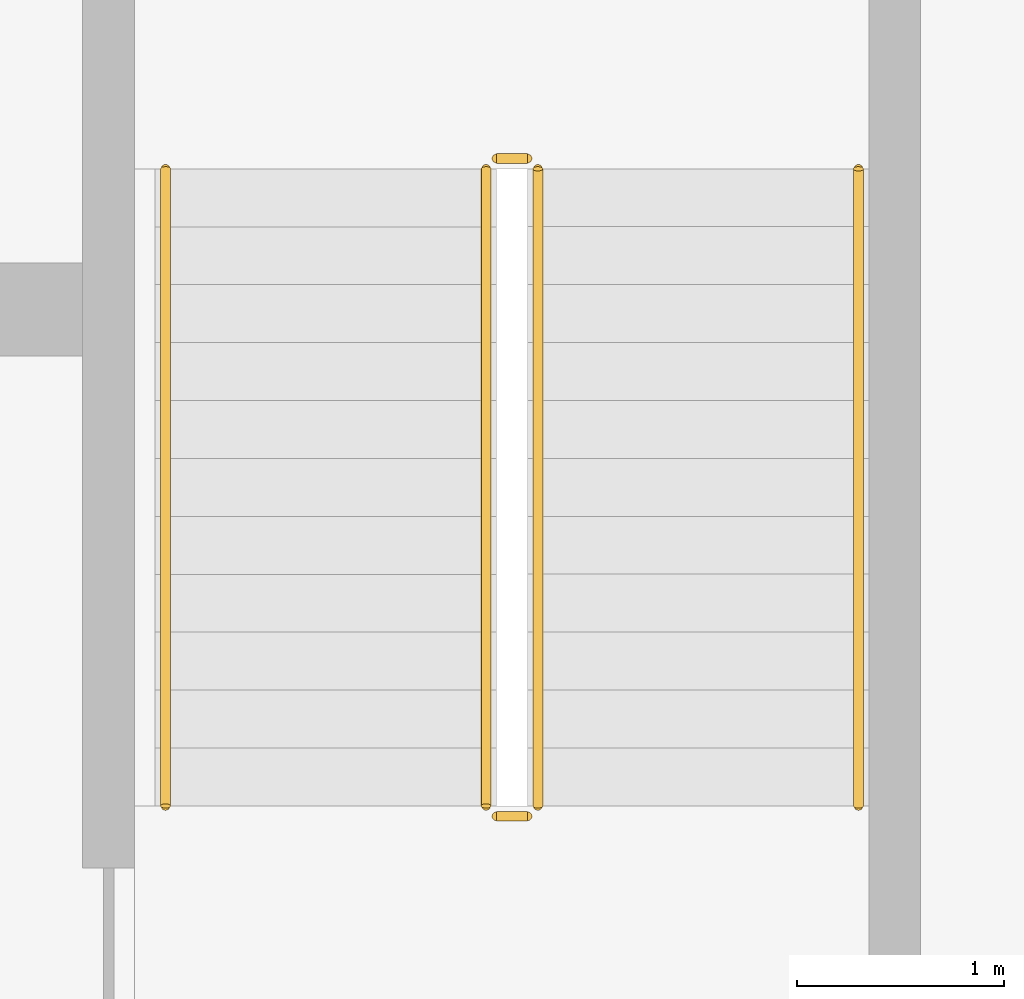
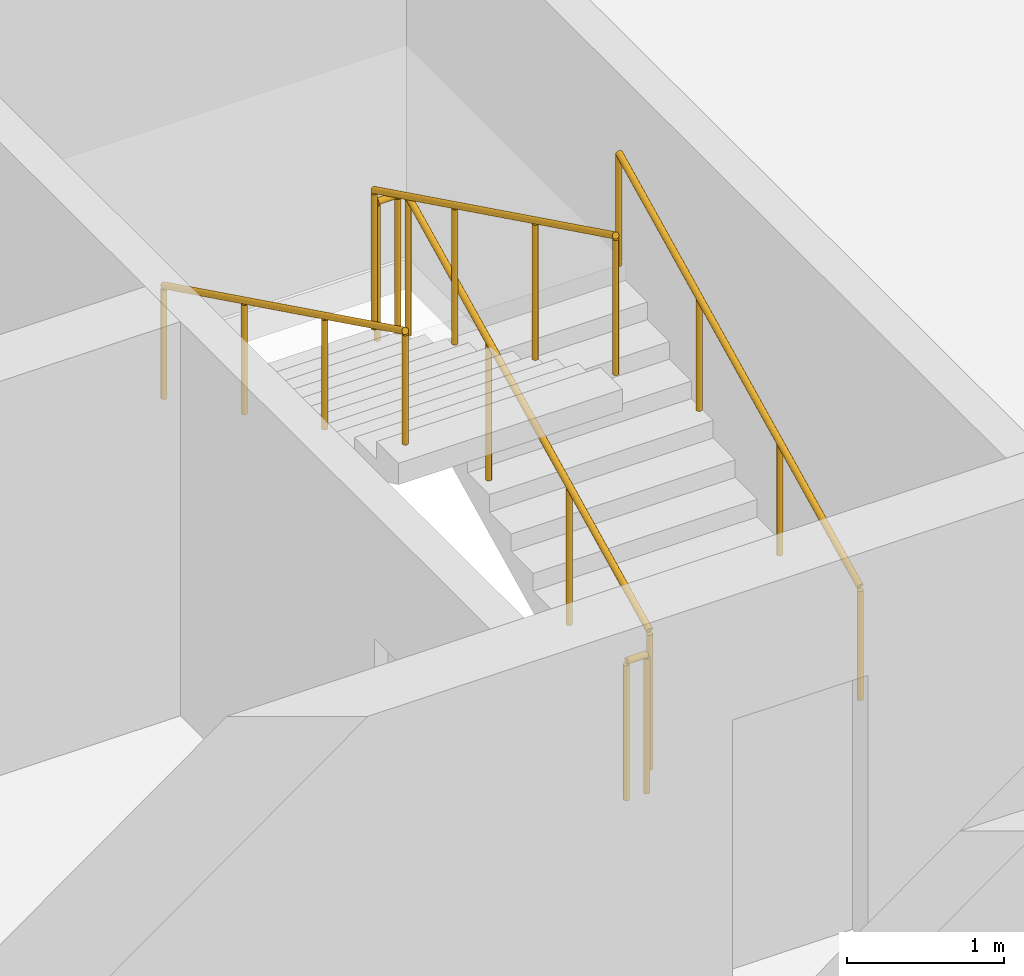
# One storey, part 17 of 33: 6 railings.
"""IFC4 building model written with IfcOpenShell, lengths in metres."""

from ifc_helpers import new_model, si_unit, direction, frame, origin, origin_2d, place, context, subcontext, project, spatial, circle, extrude, material, type_object, element, save


model = new_model("IFC4")

# Units and contexts
model_context = context("Model", 3, precision=1e-05, world=origin(), true_north=direction((0.0, 1.0)))
body_context = subcontext(model_context, "Body", "Model", "MODEL_VIEW")
ifc_project = project(units=[si_unit("LENGTHUNIT", "METRE"), si_unit("AREAUNIT", "SQUARE_METRE"), si_unit("VOLUMEUNIT", "CUBIC_METRE"), si_unit("PLANEANGLEUNIT", "RADIAN"), si_unit("MASSUNIT", "GRAM", prefix="KILO")], contexts=[model_context])

# Site, building, storey
site_placement = place(None, origin())
site = spatial("IfcSite", under=ifc_project, at=site_placement, CompositionType="ELEMENT")
building_placement = place(site_placement, origin())
building = spatial("IfcBuilding", under=site, at=building_placement, Name="Poui Terraces", CompositionType="ELEMENT")
storey_placement = place(building_placement, frame((0.0, 0.0, 135.60009765625)))
storey = spatial("IfcBuildingStorey", under=building, at=storey_placement, Name="L37", CompositionType="ELEMENT", Elevation=135.60009765625)

# Railings
ifc_material_1 = material(Name="Galvanised steel balustrade", Category="steel")
railing_type_1 = type_object("IfcRailingType", Name="STAIR GUARD 1100", PredefinedType="GUARDRAIL", material=ifc_material_1)
railing_1_placement = place(storey_placement, frame((70.27490234375, 16.60009765625, 0.137451171875)))
element("IfcRailing", 1, at=railing_1_placement, inside=storey, type_object=railing_type_1, Name="L37 ST-CE stair guard 1", PredefinedType="GUARDRAIL", context=body_context, shape_type="SweptSolid", body=[
    extrude(circle(Radius=0.02392578125, at=origin_2d()), frame((0.0, 0.0, 1.076171875), z_axis=(0.0, 0.897606190399, 0.440798283751), x_axis=(-1.0, 0.0, 0.0)), (0.0, 0.0, 1.0), 3.43115234375),
    extrude(circle(Radius=0.02099609375, at=origin_2d()), origin(), (0.0, 0.0, 1.0), 1.052001953125),
    extrude(circle(Radius=0.02099609375, at=origin_2d()), frame((0.0, 1.026611328125, 0.504150390625)), (0.0, 0.0, 1.0), 1.052001953125),
    extrude(circle(Radius=0.02099609375, at=origin_2d()), frame((0.0, 2.05322265625, 1.00830078125)), (0.0, 0.0, 1.0), 1.052001953125),
    extrude(circle(Radius=0.02099609375, at=origin_2d()), frame((0.0, 3.079833984375, 1.512451171875)), (0.0, 0.0, 1.0), 1.052001953125),
])
railing_2_placement = place(storey_placement, frame((70.22509765625, 19.72998046875, 1.64990234375)))
element("IfcRailing", 2, at=railing_2_placement, inside=storey, type_object=railing_type_1, Name="L37 ST-CE stair guard 2", PredefinedType="GUARDRAIL", context=body_context, shape_type="SweptSolid", body=[
    extrude(circle(Radius=0.02392578125, at=origin_2d()), frame((0.0, 0.0, 1.076171875), z_axis=(-1.0, 0.0, 0.0), x_axis=(0.0, -1.0, 0.0)), (0.0, 0.0, 1.0), 0.150146484375),
    extrude(circle(Radius=0.02099609375, at=origin_2d()), origin(), (0.0, 0.0, 1.0), 1.052001953125),
    extrude(circle(Radius=0.02099609375, at=origin_2d()), frame((-0.150146484375, 0.0, 0.0)), (0.0, 0.0, 1.0), 1.052001953125),
])
railing_3_placement = place(storey_placement, frame((70.02490234375, 19.679931640625, 1.787353515625)))
element("IfcRailing", 3, at=railing_3_placement, inside=storey, type_object=railing_type_1, Name="L37 ST-CE stair guard 3", PredefinedType="GUARDRAIL", context=body_context, shape_type="SweptSolid", body=[
    extrude(circle(Radius=0.02392578125, at=origin_2d()), frame((0.0, 0.0, 1.076171875), z_axis=(0.0, -0.897606190399, 0.440798283751), x_axis=(1.0, 0.0, 0.0)), (0.0, 0.0, 1.0), 3.43115234375),
    extrude(circle(Radius=0.02099609375, at=origin_2d()), origin(), (0.0, 0.0, 1.0), 1.052001953125),
    extrude(circle(Radius=0.02099609375, at=origin_2d()), frame((0.0, -1.026611328125, 0.504150390625)), (0.0, 0.0, 1.0), 1.052001953125),
    extrude(circle(Radius=0.02099609375, at=origin_2d()), frame((0.0, -2.05322265625, 1.00830078125)), (0.0, 0.0, 1.0), 1.052001953125),
    extrude(circle(Radius=0.02099609375, at=origin_2d()), frame((0.0, -3.079833984375, 1.512451171875)), (0.0, 0.0, 1.0), 1.052001953125),
])
railing_4_placement = place(storey_placement, frame((70.22509765625, 16.550048828125, 0.0)))
element("IfcRailing", 4, at=railing_4_placement, inside=storey, type_object=railing_type_1, Name="L37 ST-CE stair guard 4", PredefinedType="GUARDRAIL", context=body_context, shape_type="SweptSolid", body=[
    extrude(circle(Radius=0.02392578125, at=origin_2d()), frame((0.0, 0.0, 1.076171875), z_axis=(-1.0, 0.0, 0.0), x_axis=(0.0, -1.0, 0.0)), (0.0, 0.0, 1.0), 0.150146484375),
    extrude(circle(Radius=0.02099609375, at=origin_2d()), origin(), (0.0, 0.0, 1.0), 1.052001953125),
    extrude(circle(Radius=0.02099609375, at=origin_2d()), frame((-0.150146484375, 0.0, 0.0)), (0.0, 0.0, 1.0), 1.052001953125),
])
ifc_material_2 = material(Name="Stainless steel handrail", Category="steel")
railing_type_2 = type_object("IfcRailingType", Name="STAIR HANDRAIL 900", PredefinedType="HANDRAIL", material=ifc_material_2)
railing_5_placement = place(storey_placement, frame((71.824951171875, 16.60009765625, 0.137451171875)))
element("IfcRailing", 5, at=railing_5_placement, inside=storey, type_object=railing_type_2, Name="L37 ST-CE stair handrail 1", PredefinedType="HANDRAIL", context=body_context, shape_type="SweptSolid", body=[
    extrude(circle(Radius=0.02392578125, at=origin_2d()), frame((0.0, 0.0, 0.8759765625), z_axis=(0.0, 0.897606190399, 0.440798283751), x_axis=(-1.0, 0.0, 0.0)), (0.0, 0.0, 1.0), 3.43115234375),
    extrude(circle(Radius=0.02099609375, at=origin_2d()), origin(), (0.0, 0.0, 1.0), 0.851806640625),
    extrude(circle(Radius=0.02099609375, at=origin_2d()), frame((0.0, 1.026611328125, 0.504150390625)), (0.0, 0.0, 1.0), 0.851806640625),
    extrude(circle(Radius=0.02099609375, at=origin_2d()), frame((0.0, 2.05322265625, 1.00830078125)), (0.0, 0.0, 1.0), 0.851806640625),
    extrude(circle(Radius=0.02099609375, at=origin_2d()), frame((0.0, 3.079833984375, 1.512451171875)), (0.0, 0.0, 1.0), 0.851806640625),
])
railing_6_placement = place(storey_placement, frame((68.47509765625, 19.679931640625, 1.787353515625)))
element("IfcRailing", 6, at=railing_6_placement, inside=storey, type_object=railing_type_2, Name="L37 ST-CE stair handrail 2", PredefinedType="HANDRAIL", context=body_context, shape_type="SweptSolid", body=[
    extrude(circle(Radius=0.02392578125, at=origin_2d()), frame((0.0, 0.0, 0.8759765625), z_axis=(0.0, -0.897606190399, 0.440798283751), x_axis=(1.0, 0.0, 0.0)), (0.0, 0.0, 1.0), 3.43115234375),
    extrude(circle(Radius=0.02099609375, at=origin_2d()), origin(), (0.0, 0.0, 1.0), 0.851806640625),
    extrude(circle(Radius=0.02099609375, at=origin_2d()), frame((0.0, -1.026611328125, 0.504150390625)), (0.0, 0.0, 1.0), 0.851806640625),
    extrude(circle(Radius=0.02099609375, at=origin_2d()), frame((0.0, -2.05322265625, 1.00830078125)), (0.0, 0.0, 1.0), 0.851806640625),
    extrude(circle(Radius=0.02099609375, at=origin_2d()), frame((0.0, -3.079833984375, 1.512451171875)), (0.0, 0.0, 1.0), 0.851806640625),
])

save(model, "model.ifc")
